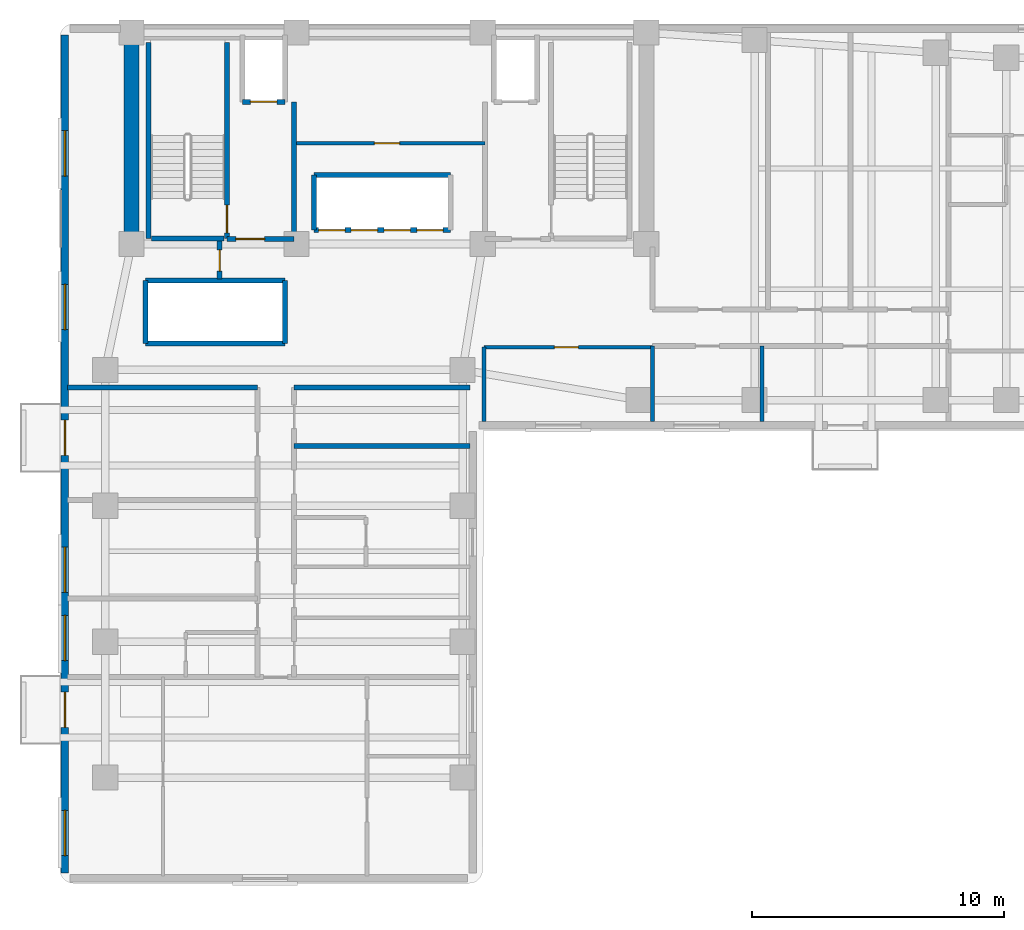
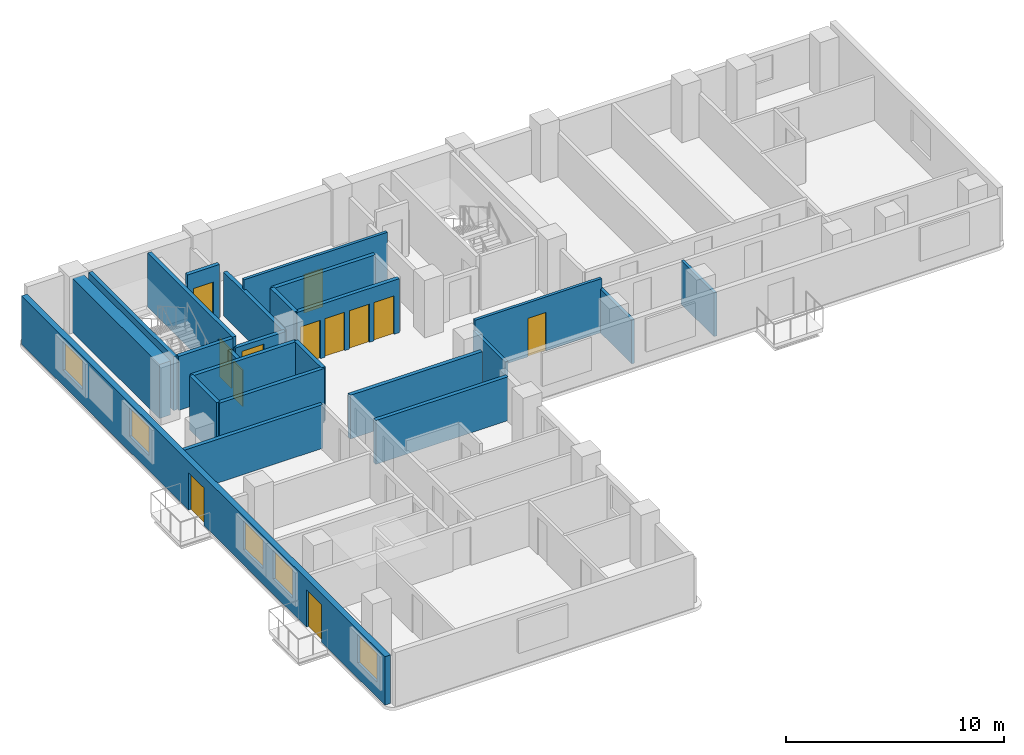
# One storey, part 3 of 7: 24 walls, 12 doors, 5 windows, 17 openings.
"""IFC4 building model written with IfcOpenShell, lengths in metres."""

from ifc_helpers import new_model, si_unit, direction, frame, frame_2d, origin, place, context, subcontext, project, spatial, rectangle, extrude, material, layer, layer_set, type_object, element, fill, save


model = new_model("IFC4")

# Units and contexts
model_context = context("Model", 3, precision=1e-05, world=origin(), true_north=direction((0.0, 1.0)))
body_context = subcontext(model_context, "Body", "Model", "MODEL_VIEW")
ifc_project = project(units=[si_unit("LENGTHUNIT", "METRE"), si_unit("AREAUNIT", "SQUARE_METRE"), si_unit("VOLUMEUNIT", "CUBIC_METRE"), si_unit("PLANEANGLEUNIT", "RADIAN"), si_unit("MASSUNIT", "GRAM", prefix="KILO")], contexts=[model_context])

# Site, building, storey
site_placement = place(None, origin())
site = spatial("IfcSite", under=ifc_project, at=site_placement, CompositionType="ELEMENT")
building_placement = place(site_placement, origin())
building = spatial("IfcBuilding", under=site, at=building_placement, Name="Kuzgunbayir Cultural Tower", CompositionType="ELEMENT")
storey_placement = place(building_placement, frame((0.0, 0.0, 145.800048828125)))
storey = spatial("IfcBuildingStorey", under=building, at=storey_placement, Name="L42", CompositionType="ELEMENT", Elevation=145.800048828125)

# Wall
ifc_material_1 = material(Name="Concrete C60/75", Category="concrete")
ifc_layer_1 = layer(ifc_material_1, 0.60009765625)
ifc_layer_set_1 = layer_set([ifc_layer_1], Name="Concrete C60/75")
wall_type_1 = type_object("IfcWallType", Name="WAL-CORE-600", PredefinedType="SHEAR", material=ifc_layer_set_1)
wall_1_placement = place(storey_placement, frame((6.449951171875, 33.800048828125, 0.0), z_axis=(0.0, 0.0, 1.0), x_axis=(0.0, 1.0, 0.0)))
element("IfcWall", 1, at=wall_1_placement, inside=storey, type_object=wall_type_1, Name="L42 T1 Core West Shear Wall", PredefinedType="SHEAR", context=body_context, shape_type="SweptSolid", body=[
    extrude(rectangle(XDim=7.949951171875, YDim=0.60009765625, at=frame_2d((3.97509765625, 0.0))), origin(), (0.0, 0.0, 1.0), 3.02001953125),
])

# Wall, openings, doors, windows
ifc_material_2 = material(Name="Anatolian Cream Limestone", Category="masonry")
ifc_layer_2 = layer(ifc_material_2, 0.300048828125)
ifc_layer_set_2 = layer_set([ifc_layer_2], Name="Anatolian Cream Limestone")
wall_type_2 = type_object("IfcWallType", Name="WAL-EXT-STONE-300", PredefinedType="STANDARD", material=ifc_layer_set_2)
wall_2_placement = place(storey_placement, frame((3.800048828125, 42.10009765625, 0.0), z_axis=(0.0, 0.0, 1.0), x_axis=(0.0, -1.0, 0.0)))
wall_2 = element("IfcWall", 2, at=wall_2_placement, inside=storey, type_object=wall_type_2, Name="L42 Wing A West Limestone Wall", PredefinedType="STANDARD", context=body_context, shape_type="SweptSolid", body=[
    extrude(rectangle(XDim=33.300048828125, YDim=0.300048828125, at=frame_2d((16.64990234375, 0.0))), origin(), (0.0, 0.0, 1.0), 2.7099609375),
])
opening_1_placement = place(wall_2_placement, frame((26.10009765625, 0.0, 0.0)))
opening_1 = element("IfcOpeningElement", 3, at=opening_1_placement, cuts=wall_2, Name="Opening BD-15", PredefinedType="OPENING", context=body_context, shape_type="SweptSolid", body=[
    extrude(rectangle(XDim=1.39990234375, YDim=2.10009765625, at=frame_2d((0.699951171875, 1.050048828125))), frame((0.0, 0.16015625, 0.0), z_axis=(0.0, -1.0, 0.0), x_axis=(1.0, 0.0, 0.0)), (0.0, 0.0, 1.0), 0.320068359375),
])
opening_2_placement = place(wall_2_placement, frame((15.300048828125, 0.0, 0.0)))
opening_2 = element("IfcOpeningElement", 4, at=opening_2_placement, cuts=wall_2, Name="Opening BD-15", PredefinedType="OPENING", context=body_context, shape_type="SweptSolid", body=[
    extrude(rectangle(XDim=1.39990234375, YDim=2.10009765625, at=frame_2d((0.699951171875, 1.050048828125))), frame((0.0, 0.16015625, 0.0), z_axis=(0.0, -1.0, 0.0), x_axis=(1.0, 0.0, 0.0)), (0.0, 0.0, 1.0), 0.320068359375),
])
opening_3_placement = place(wall_2_placement, frame((23.050048828125, 0.0, 0.85009765625)))
opening_3 = element("IfcOpeningElement", 5, at=opening_3_placement, cuts=wall_2, Name="Opening WH-18", PredefinedType="OPENING", context=body_context, shape_type="SweptSolid", body=[
    extrude(rectangle(XDim=1.800048828125, YDim=1.610107421875, at=frame_2d((0.89990234375, 0.80517578125))), frame((0.0, 0.16015625, 0.0), z_axis=(0.0, -1.0, 0.0), x_axis=(1.0, 0.0, 0.0)), (0.0, 0.0, 1.0), 0.320068359375),
])
opening_4_placement = place(wall_2_placement, frame((30.800048828125, 0.0, 0.85009765625)))
opening_4 = element("IfcOpeningElement", 6, at=opening_4_placement, cuts=wall_2, Name="Opening WH-18", PredefinedType="OPENING", context=body_context, shape_type="SweptSolid", body=[
    extrude(rectangle(XDim=1.800048828125, YDim=1.610107421875, at=frame_2d((0.89990234375, 0.80517578125))), frame((0.0, 0.16015625, 0.0), z_axis=(0.0, -1.0, 0.0), x_axis=(1.0, 0.0, 0.0)), (0.0, 0.0, 1.0), 0.320068359375),
])
opening_5_placement = place(wall_2_placement, frame((20.340087890625, 0.0, 0.85009765625)))
opening_5 = element("IfcOpeningElement", 7, at=opening_5_placement, cuts=wall_2, Name="Opening WH-18", PredefinedType="OPENING", context=body_context, shape_type="SweptSolid", body=[
    extrude(rectangle(XDim=1.800048828125, YDim=1.610107421875, at=frame_2d((0.89990234375, 0.80517578125))), frame((0.0, 0.16015625, 0.0), z_axis=(0.0, -1.0, 0.0), x_axis=(1.0, 0.0, 0.0)), (0.0, 0.0, 1.0), 0.320068359375),
])
opening_6_placement = place(wall_2_placement, frame((9.89990234375, 0.0, 0.85009765625)))
opening_6 = element("IfcOpeningElement", 8, at=opening_6_placement, cuts=wall_2, Name="Opening WH-18", PredefinedType="OPENING", context=body_context, shape_type="SweptSolid", body=[
    extrude(rectangle(XDim=1.800048828125, YDim=1.610107421875, at=frame_2d((0.89990234375, 0.80517578125))), frame((0.0, 0.16015625, 0.0), z_axis=(0.0, -1.0, 0.0), x_axis=(1.0, 0.0, 0.0)), (0.0, 0.0, 1.0), 0.320068359375),
])
opening_7_placement = place(wall_2_placement, frame((3.800048828125, 0.0, 0.85009765625)))
opening_7 = element("IfcOpeningElement", 9, at=opening_7_placement, cuts=wall_2, Name="Opening WH-18", PredefinedType="OPENING", context=body_context, shape_type="SweptSolid", body=[
    extrude(rectangle(XDim=1.800048828125, YDim=1.610107421875, at=frame_2d((0.89990234375, 0.80517578125))), frame((0.0, 0.16015625, 0.0), z_axis=(0.0, -1.0, 0.0), x_axis=(1.0, 0.0, 0.0)), (0.0, 0.0, 1.0), 0.320068359375),
])
ifc_material_3 = material(Name="Thermally Broken Glazed Aluminium", Category="aluminium")
door_type_1 = type_object("IfcDoorType", Name="DR-BALCONY-150", OperationType="SLIDING_TO_RIGHT", PredefinedType="DOOR", material=ifc_material_3)
door_1_placement = place(opening_1_placement, origin())
door_1 = element("IfcDoor", 10, at=door_1_placement, inside=storey, type_object=door_type_1, Name="L42 West Balcony Sliding Door BAL-L42-WA1", OperationType="SLIDING_TO_RIGHT", OverallHeight=2.10009765625, OverallWidth=1.39990234375, PredefinedType="DOOR", context=body_context, shape_type="SweptSolid", body=[
    extrude(rectangle(XDim=1.39990234375, YDim=2.10009765625, at=frame_2d((0.699951171875, 1.050048828125))), frame((0.0, 0.02490234375, 0.0), z_axis=(0.0, -1.0, 0.0), x_axis=(1.0, 0.0, 0.0)), (0.0, 0.0, 1.0), 0.050048828125),
])
fill(opening_1, door_1)
door_2_placement = place(opening_2_placement, origin())
door_2 = element("IfcDoor", 11, at=door_2_placement, inside=storey, type_object=door_type_1, Name="L42 West Balcony Sliding Door BAL-L42-WA3", OperationType="SLIDING_TO_RIGHT", OverallHeight=2.10009765625, OverallWidth=1.39990234375, PredefinedType="DOOR", context=body_context, shape_type="SweptSolid", body=[
    extrude(rectangle(XDim=1.39990234375, YDim=2.10009765625, at=frame_2d((0.699951171875, 1.050048828125))), frame((0.0, 0.02490234375, 0.0), z_axis=(0.0, -1.0, 0.0), x_axis=(1.0, 0.0, 0.0)), (0.0, 0.0, 1.0), 0.050048828125),
])
fill(opening_2, door_2)
ifc_material_4 = material(Name="Solar-Control Triple Glazing", Category="glass")
window_type = type_object("IfcWindowType", Name="WIN-HOTEL-18", PartitioningType="SINGLE_PANEL", PredefinedType="WINDOW", material=ifc_material_4)
window_1_placement = place(opening_3_placement, origin())
window_1 = element("IfcWindow", 12, at=window_1_placement, inside=storey, type_object=window_type, Name="L42 WAW Facade Window 1", OverallHeight=1.610107421875, OverallWidth=1.800048828125, PartitioningType="SINGLE_PANEL", PredefinedType="WINDOW", context=body_context, shape_type="SweptSolid", body=[
    extrude(rectangle(XDim=1.800048828125, YDim=1.610107421875, at=frame_2d((0.89990234375, 0.80517578125))), frame((0.0, 0.030029296875, 0.0), z_axis=(0.0, -1.0, 0.0), x_axis=(1.0, 0.0, 0.0)), (0.0, 0.0, 1.0), 0.06005859375),
])
fill(opening_3, window_1)
window_2_placement = place(opening_4_placement, origin())
window_2 = element("IfcWindow", 13, at=window_2_placement, inside=storey, type_object=window_type, Name="L42 WAW Facade Window 6", OverallHeight=1.610107421875, OverallWidth=1.800048828125, PartitioningType="SINGLE_PANEL", PredefinedType="WINDOW", context=body_context, shape_type="SweptSolid", body=[
    extrude(rectangle(XDim=1.800048828125, YDim=1.610107421875, at=frame_2d((0.89990234375, 0.80517578125))), frame((0.0, 0.030029296875, 0.0), z_axis=(0.0, -1.0, 0.0), x_axis=(1.0, 0.0, 0.0)), (0.0, 0.0, 1.0), 0.06005859375),
])
fill(opening_4, window_2)
window_3_placement = place(opening_5_placement, origin())
window_3 = element("IfcWindow", 14, at=window_3_placement, inside=storey, type_object=window_type, Name="L42 WAW Facade Window 7", OverallHeight=1.610107421875, OverallWidth=1.800048828125, PartitioningType="SINGLE_PANEL", PredefinedType="WINDOW", context=body_context, shape_type="SweptSolid", body=[
    extrude(rectangle(XDim=1.800048828125, YDim=1.610107421875, at=frame_2d((0.89990234375, 0.80517578125))), frame((0.0, 0.030029296875, 0.0), z_axis=(0.0, -1.0, 0.0), x_axis=(1.0, 0.0, 0.0)), (0.0, 0.0, 1.0), 0.06005859375),
])
fill(opening_5, window_3)
window_4_placement = place(opening_6_placement, origin())
window_4 = element("IfcWindow", 15, at=window_4_placement, inside=storey, type_object=window_type, Name="L42 WAW Facade Window 8", OverallHeight=1.610107421875, OverallWidth=1.800048828125, PartitioningType="SINGLE_PANEL", PredefinedType="WINDOW", context=body_context, shape_type="SweptSolid", body=[
    extrude(rectangle(XDim=1.800048828125, YDim=1.610107421875, at=frame_2d((0.89990234375, 0.80517578125))), frame((0.0, 0.030029296875, 0.0), z_axis=(0.0, -1.0, 0.0), x_axis=(1.0, 0.0, 0.0)), (0.0, 0.0, 1.0), 0.06005859375),
])
fill(opening_6, window_4)
window_5_placement = place(opening_7_placement, origin())
window_5 = element("IfcWindow", 16, at=window_5_placement, inside=storey, type_object=window_type, Name="L42 WAW Facade Window 9", OverallHeight=1.610107421875, OverallWidth=1.800048828125, PartitioningType="SINGLE_PANEL", PredefinedType="WINDOW", context=body_context, shape_type="SweptSolid", body=[
    extrude(rectangle(XDim=1.800048828125, YDim=1.610107421875, at=frame_2d((0.89990234375, 0.80517578125))), frame((0.0, 0.030029296875, 0.0), z_axis=(0.0, -1.0, 0.0), x_axis=(1.0, 0.0, 0.0)), (0.0, 0.0, 1.0), 0.06005859375),
])
fill(opening_7, window_5)

# Wall, opening, door
ifc_material_5 = material(Name="Acoustic Double-Stud Drywall", Category="gypsum")
ifc_layer_3 = layer(ifc_material_5, 0.14990234375)
ifc_layer_set_3 = layer_set([ifc_layer_3], Name="Acoustic Double-Stud Drywall")
wall_type_3 = type_object("IfcWallType", Name="WAL-PART-ACOUSTIC-150", PredefinedType="PARTITIONING", material=ifc_layer_set_3)
wall_3_placement = place(storey_placement, frame((12.89990234375, 37.800048828125, 0.0), z_axis=(0.0, 0.0, 1.0), x_axis=(1.0, 0.0, 0.0)))
wall_3 = element("IfcWall", 17, at=wall_3_placement, inside=storey, type_object=wall_type_3, Name="L42 Repurposed Core Suite Wall", PredefinedType="PARTITIONING", context=body_context, shape_type="SweptSolid", body=[
    extrude(rectangle(XDim=7.60009765625, YDim=0.14990234375, at=frame_2d((3.800048828125, 0.0))), origin(), (0.0, 0.0, 1.0), 3.02001953125),
])
opening_8_placement = place(wall_3_placement, frame((3.199951171875, 0.0, 0.0)))
opening_8 = element("IfcOpeningElement", 18, at=opening_8_placement, cuts=wall_3, Name="Opening DC-100", PredefinedType="OPENING", context=body_context, shape_type="SweptSolid", body=[
    extrude(rectangle(XDim=1.0, YDim=2.14990234375, at=frame_2d((0.5, 1.074951171875))), frame((0.0, 0.0849609375, 0.0), z_axis=(0.0, -1.0, 0.0), x_axis=(1.0, 0.0, 0.0)), (0.0, 0.0, 1.0), 0.169921875),
])
ifc_material_6 = material(Name="Fire-Rated Veneered Oak Leaf", Category="wood")
door_type_2 = type_object("IfcDoorType", Name="DR-CORE-100", OperationType="NOTDEFINED", PredefinedType="DOOR", material=ifc_material_6)
door_3_placement = place(opening_8_placement, origin())
door_3 = element("IfcDoor", 19, at=door_3_placement, inside=storey, type_object=door_type_2, Name="L42 Core Reading Salon Door", OperationType="SINGLE_SWING_RIGHT", OverallHeight=2.14990234375, OverallWidth=1.0, PredefinedType="DOOR", context=body_context, shape_type="SweptSolid", body=[
    extrude(rectangle(XDim=1.0, YDim=2.14990234375, at=frame_2d((0.5, 1.074951171875))), frame((0.0, 0.02490234375, 0.0), z_axis=(0.0, -1.0, 0.0), x_axis=(1.0, 0.0, 0.0)), (0.0, 0.0, 1.0), 0.050048828125),
])
fill(opening_8, door_3)

wall_4_placement = place(storey_placement, frame((20.449951171875, 29.699951171875, 0.0), z_axis=(0.0, 0.0, 1.0), x_axis=(1.0, 0.0, 0.0)))
wall_4 = element("IfcWall", 20, at=wall_4_placement, inside=storey, type_object=wall_type_3, Name="L42 Waist Alcove North Wall", PredefinedType="PARTITIONING", context=body_context, shape_type="SweptSolid", body=[
    extrude(rectangle(XDim=6.699951171875, YDim=0.14990234375, at=frame_2d((3.35009765625, 0.0))), origin(), (0.0, 0.0, 1.0), 3.02001953125),
])
opening_9_placement = place(wall_4_placement, frame((2.800048828125, 0.0, 0.0)))
opening_9 = element("IfcOpeningElement", 21, at=opening_9_placement, cuts=wall_4, Name="Opening DI-90", PredefinedType="OPENING", context=body_context, shape_type="SweptSolid", body=[
    extrude(rectangle(XDim=0.949951171875, YDim=2.14990234375, at=frame_2d((0.47509765625, 1.074951171875))), frame((0.0, 0.0849609375, 0.0), z_axis=(0.0, -1.0, 0.0), x_axis=(1.0, 0.0, 0.0)), (0.0, 0.0, 1.0), 0.169921875),
])
ifc_material_7 = material(Name="Veneered Oak Single Leaf", Category="wood")
door_type_3 = type_object("IfcDoorType", Name="DR-INT-90", OperationType="NOTDEFINED", PredefinedType="DOOR", material=ifc_material_7)
door_4_placement = place(opening_9_placement, origin())
door_4 = element("IfcDoor", 22, at=door_4_placement, inside=storey, type_object=door_type_3, Name="L42 Waist Alcove Door", OperationType="SINGLE_SWING_LEFT", OverallHeight=2.14990234375, OverallWidth=0.949951171875, PredefinedType="DOOR", context=body_context, shape_type="SweptSolid", body=[
    extrude(rectangle(XDim=0.949951171875, YDim=2.14990234375, at=frame_2d((0.47509765625, 1.074951171875))), frame((0.0, 0.02490234375, 0.0), z_axis=(0.0, -1.0, 0.0), x_axis=(1.0, 0.0, 0.0)), (0.0, 0.0, 1.0), 0.050048828125),
])
fill(opening_9, door_4)

# Walls
wall_5_placement = place(storey_placement, frame((20.449951171875, 26.75, 0.0), z_axis=(0.0, 0.0, 1.0), x_axis=(0.0, 1.0, 0.0)))
element("IfcWall", 23, at=wall_5_placement, inside=storey, type_object=wall_type_3, Name="L42 Waist Alcove West Wall", PredefinedType="PARTITIONING", context=body_context, shape_type="SweptSolid", body=[
    extrude(rectangle(XDim=2.949951171875, YDim=0.14990234375, at=frame_2d((1.47509765625, 0.0))), origin(), (0.0, 0.0, 1.0), 2.449951171875),
])
for number, where, z_axis, x_axis, name in (
    (24, (27.14990234375, 26.75, 0.0), (0.0, 0.0, 1.0), (0.0, 1.0, 0.0), "L42 Waist Alcove East Wall"),
    (25, (31.5, 26.75, 0.0), (0.0, 0.0, 1.0), (0.0, 1.0, 0.0), "L42 Wing B South Divider 1"),
):
    element("IfcWall", number, at=place(storey_placement, frame(where, z_axis=z_axis, x_axis=x_axis)), inside=storey, type_object=wall_type_3, Name=name, PredefinedType="PARTITIONING", context=body_context, shape_type="SweptSolid", body=[
        extrude(rectangle(XDim=3.0, YDim=0.14990234375, at=frame_2d((1.5, 0.0))), origin(), (0.0, 0.0, 1.0), 2.449951171875),
    ])
ifc_material_8 = material(Name="Aerated Concrete Blockwork", Category="masonry")
ifc_layer_4 = layer(ifc_material_8, 0.199951171875)
ifc_layer_set_4 = layer_set([ifc_layer_4], Name="Aerated Concrete Blockwork")
wall_type_4 = type_object("IfcWallType", Name="WAL-PART-FIRE-200", PredefinedType="PARTITIONING", material=ifc_layer_set_4)
wall_6_placement = place(storey_placement, frame((12.89990234375, 34.0, 0.0), z_axis=(0.0, 0.0, 1.0), x_axis=(0.0, 1.0, 0.0)))
element("IfcWall", 26, at=wall_6_placement, inside=storey, type_object=wall_type_4, Name="L42 FFL-1 Lobby East Fire Wall", PredefinedType="PARTITIONING", context=body_context, shape_type="SweptSolid", body=[
    extrude(rectangle(XDim=5.449951171875, YDim=0.199951171875, at=frame_2d((2.72509765625, 0.0))), origin(), (0.0, 0.0, 1.0), 2.449951171875),
])

# Wall, opening, door
wall_7_placement = place(storey_placement, frame((10.239990234375, 34.0, 0.0), z_axis=(0.0, 0.0, 1.0), x_axis=(1.0, 0.0, 0.0)))
wall_7 = element("IfcWall", 27, at=wall_7_placement, inside=storey, type_object=wall_type_4, Name="L42 FFL-1 Lobby South Fire Wall", PredefinedType="PARTITIONING", context=body_context, shape_type="SweptSolid", body=[
    extrude(rectangle(XDim=2.659912109375, YDim=0.199951171875, at=frame_2d((1.330078125, 0.0))), origin(), (0.0, 0.0, 1.0), 2.449951171875),
])
opening_10_placement = place(wall_7_placement, frame((0.35009765625, 0.0, 0.0)))
opening_10 = element("IfcOpeningElement", 28, at=opening_10_placement, cuts=wall_7, Name="Opening DR-FFL-90", PredefinedType="OPENING", context=body_context, shape_type="SweptSolid", body=[
    extrude(rectangle(XDim=1.14990234375, YDim=2.14990234375, at=frame_2d((0.574951171875, 1.074951171875))), frame((0.0, 0.10986328125, 0.0), z_axis=(0.0, -1.0, 0.0), x_axis=(1.0, 0.0, 0.0)), (0.0, 0.0, 1.0), 0.219970703125),
])
ifc_material_9 = material(Name="Steel S355J2", Category="steel")
door_type_4 = type_object("IfcDoorType", Name="DR-FFL-90", OperationType="NOTDEFINED", PredefinedType="DOOR", material=ifc_material_9)
door_5_placement = place(opening_10_placement, origin())
door_5 = element("IfcDoor", 29, at=door_5_placement, inside=storey, type_object=door_type_4, Name="L42 Firefighting Lobby 1 Door", OperationType="SINGLE_SWING_LEFT", OverallHeight=2.14990234375, OverallWidth=1.14990234375, PredefinedType="DOOR", context=body_context, shape_type="SweptSolid", body=[
    extrude(rectangle(XDim=1.14990234375, YDim=2.14990234375, at=frame_2d((0.574951171875, 1.074951171875))), frame((0.0, 0.02490234375, 0.0), z_axis=(0.0, -1.0, 0.0), x_axis=(1.0, 0.0, 0.0)), (0.0, 0.0, 1.0), 0.050048828125),
])
fill(opening_10, door_5)

wall_8_placement = place(storey_placement, frame((9.949951171875, 32.39990234375, 0.0), z_axis=(0.0, 0.0, 1.0), x_axis=(0.0, 1.0, 0.0)))
wall_8 = element("IfcWall", 30, at=wall_8_placement, inside=storey, type_object=wall_type_4, Name="L42 West Core Service Closet Wall", PredefinedType="PARTITIONING", context=body_context, shape_type="SweptSolid", body=[
    extrude(rectangle(XDim=1.52001953125, YDim=0.199951171875, at=frame_2d((0.760009765625, 0.0))), origin(), (0.0, 0.0, 1.0), 2.449951171875),
])
opening_11_placement = place(wall_8_placement, frame((0.320068359375, 0.0, 0.0)))
opening_11 = element("IfcOpeningElement", 31, at=opening_11_placement, cuts=wall_8, Name="Opening DR-RSR-60", PredefinedType="OPENING", context=body_context, shape_type="SweptSolid", body=[
    extrude(rectangle(XDim=0.85009765625, YDim=2.050048828125, at=frame_2d((0.425048828125, 1.02490234375))), frame((0.0, 0.10986328125, 0.0), z_axis=(0.0, -1.0, 0.0), x_axis=(1.0, 0.0, 0.0)), (0.0, 0.0, 1.0), 0.219970703125),
])
ifc_material_10 = material(Name="Steel Access Leaf", Category="steel")
door_type_5 = type_object("IfcDoorType", Name="DR-RISER-60", OperationType="NOTDEFINED", PredefinedType="DOOR", material=ifc_material_10)
door_6_placement = place(opening_11_placement, origin())
door_6 = element("IfcDoor", 32, at=door_6_placement, inside=storey, type_object=door_type_5, Name="L42 Cleaner Utility Store Door", OperationType="SINGLE_SWING_LEFT", OverallHeight=2.050048828125, OverallWidth=0.85009765625, PredefinedType="DOOR", context=body_context, shape_type="SweptSolid", body=[
    extrude(rectangle(XDim=0.85009765625, YDim=2.050048828125, at=frame_2d((0.425048828125, 1.02490234375))), frame((0.0, 0.02490234375, 0.0), z_axis=(0.0, -1.0, 0.0), x_axis=(1.0, 0.0, 0.0)), (0.0, 0.0, 1.0), 0.050048828125),
])
fill(opening_11, door_6)

# Walls
wall_9_placement = place(storey_placement, frame((3.89990234375, 28.10009765625, 0.0), z_axis=(0.0, 0.0, 1.0), x_axis=(1.0, 0.0, 0.0)))
element("IfcWall", 33, at=wall_9_placement, inside=storey, type_object=wall_type_4, Name="L42 North West Partition", PredefinedType="PARTITIONING", context=body_context, shape_type="SweptSolid", body=[
    extrude(rectangle(XDim=7.550048828125, YDim=0.199951171875, at=frame_2d((3.77490234375, 0.0))), origin(), (0.0, 0.0, 1.0), 2.449951171875),
])
for number, where, z_axis, x_axis, name in (
    (34, (12.909912109375, 28.10009765625, 0.0), (0.0, 0.0, 1.0), (1.0, 0.0, 0.0), "L42 North East Partition"),
    (35, (12.909912109375, 25.77001953125, 0.0), (0.0, 0.0, 1.0), (1.0, 0.0, 0.0), "L42 Suite E1 Sub-Party Wall"),
):
    element("IfcWall", number, at=place(storey_placement, frame(where, z_axis=z_axis, x_axis=x_axis)), inside=storey, type_object=wall_type_4, Name=name, PredefinedType="PARTITIONING", context=body_context, shape_type="SweptSolid", body=[
        extrude(rectangle(XDim=6.989990234375, YDim=0.199951171875, at=frame_2d((3.4951171875, 0.0))), origin(), (0.0, 0.0, 1.0), 2.449951171875),
    ])
ifc_material_11 = material(Name="Concrete C40/50", Category="concrete")
ifc_layer_5 = layer(ifc_material_11, 0.199951171875)
ifc_layer_set_5 = layer_set([ifc_layer_5], Name="Concrete C40/50")
wall_type_5 = type_object("IfcWallType", Name="WAL-SHAFT-200", PredefinedType="MOVABLE", material=ifc_layer_set_5)
for number, where, z_axis, x_axis, name in (
    (36, (7.0, 29.85009765625, 0.0), (0.0, 0.0, 1.0), (1.0, 0.0, 0.0), "L42 High-Rise Lift Shaft South Wall"),
    (37, (7.0, 32.35009765625, 0.0), (0.0, 0.0, 1.0), (1.0, 0.0, 0.0), "L42 High-Rise Lift Shaft North Wall"),
):
    element("IfcWall", number, at=place(storey_placement, frame(where, z_axis=z_axis, x_axis=x_axis)), inside=storey, type_object=wall_type_5, Name=name, PredefinedType="MOVABLE", context=body_context, shape_type="SweptSolid", body=[
        extrude(rectangle(XDim=5.550048828125, YDim=0.199951171875, at=frame_2d((2.77490234375, 0.0))), origin(), (0.0, 0.0, 1.0), 3.02001953125),
    ])
for number, where, z_axis, x_axis, name in (
    (38, (7.0, 29.85009765625, 0.0), (0.0, 0.0, 1.0), (0.0, 1.0, 0.0), "L42 High-Rise Lift Shaft West Wall"),
    (39, (12.550048828125, 29.85009765625, 0.0), (0.0, 0.0, 1.0), (0.0, 1.0, 0.0), "L42 High-Rise Lift Shaft East Wall"),
):
    element("IfcWall", number, at=place(storey_placement, frame(where, z_axis=z_axis, x_axis=x_axis)), inside=storey, type_object=wall_type_5, Name=name, PredefinedType="MOVABLE", context=body_context, shape_type="SweptSolid", body=[
        extrude(rectangle(XDim=2.5, YDim=0.199951171875, at=frame_2d((1.25, 0.0))), origin(), (0.0, 0.0, 1.0), 3.02001953125),
    ])

# Wall, opening, door
wall_10_placement = place(storey_placement, frame((10.85009765625, 39.449951171875, 0.0), z_axis=(0.0, 0.0, 1.0), x_axis=(1.0, 0.0, 0.0)))
wall_10 = element("IfcWall", 40, at=wall_10_placement, inside=storey, type_object=wall_type_5, Name="L42 FFL-1 Lift Front Wall", PredefinedType="MOVABLE", context=body_context, shape_type="SweptSolid", body=[
    extrude(rectangle(XDim=1.699951171875, YDim=0.199951171875, at=frame_2d((0.85009765625, 0.0))), origin(), (0.0, 0.0, 1.0), 3.02001953125),
])
opening_12_placement = place(wall_10_placement, frame((0.320068359375, 0.0, 0.0)))
opening_12 = element("IfcOpeningElement", 41, at=opening_12_placement, cuts=wall_10, Name="Opening LD", PredefinedType="OPENING", context=body_context, shape_type="SweptSolid", body=[
    extrude(rectangle(XDim=1.050048828125, YDim=2.14990234375, at=frame_2d((0.52490234375, 1.074951171875))), frame((0.0, 0.10986328125, 0.0), z_axis=(0.0, -1.0, 0.0), x_axis=(1.0, 0.0, 0.0)), (0.0, 0.0, 1.0), 0.219970703125),
])
ifc_material_12 = material(Name="Brushed Stainless Steel", Category="steel")
door_type_6 = type_object("IfcDoorType", Name="DR-LIFT-LANDING", OperationType="SLIDING_TO_LEFT", PredefinedType="DOOR", material=ifc_material_12)
door_7_placement = place(opening_12_placement, origin())
door_7 = element("IfcDoor", 42, at=door_7_placement, inside=storey, type_object=door_type_6, Name="L42 Lift FFL-1 Landing Door", OperationType="SLIDING_TO_LEFT", OverallHeight=2.14990234375, OverallWidth=1.050048828125, PredefinedType="DOOR", context=body_context, shape_type="SweptSolid", body=[
    extrude(rectangle(XDim=1.050048828125, YDim=2.14990234375, at=frame_2d((0.52490234375, 1.074951171875))), frame((0.0, 0.02490234375, 0.0), z_axis=(0.0, -1.0, 0.0), x_axis=(1.0, 0.0, 0.0)), (0.0, 0.0, 1.0), 0.050048828125),
])
fill(opening_12, door_7)

# Wall, openings, doors
wall_11_placement = place(storey_placement, frame((13.699951171875, 34.35009765625, 0.0), z_axis=(0.0, 0.0, 1.0), x_axis=(1.0, 0.0, 0.0)))
wall_11 = element("IfcWall", 43, at=wall_11_placement, inside=storey, type_object=wall_type_5, Name="L42 Mid-Rise Lift Front Wall", PredefinedType="MOVABLE", context=body_context, shape_type="SweptSolid", body=[
    extrude(rectangle(XDim=5.420166015625, YDim=0.199951171875, at=frame_2d((2.7099609375, 0.0))), origin(), (0.0, 0.0, 1.0), 3.02001953125),
])
opening_13_placement = place(wall_11_placement, frame((0.179931640625, 0.0, 0.0)))
opening_13 = element("IfcOpeningElement", 44, at=opening_13_placement, cuts=wall_11, Name="Opening LD", PredefinedType="OPENING", context=body_context, shape_type="SweptSolid", body=[
    extrude(rectangle(XDim=1.050048828125, YDim=2.14990234375, at=frame_2d((0.52490234375, 1.074951171875))), frame((0.0, 0.10986328125, 0.0), z_axis=(0.0, -1.0, 0.0), x_axis=(1.0, 0.0, 0.0)), (0.0, 0.0, 1.0), 0.219970703125),
])
opening_14_placement = place(wall_11_placement, frame((1.469970703125, 0.0, 0.0)))
opening_14 = element("IfcOpeningElement", 45, at=opening_14_placement, cuts=wall_11, Name="Opening LD", PredefinedType="OPENING", context=body_context, shape_type="SweptSolid", body=[
    extrude(rectangle(XDim=1.050048828125, YDim=2.14990234375, at=frame_2d((0.52490234375, 1.074951171875))), frame((0.0, 0.10986328125, 0.0), z_axis=(0.0, -1.0, 0.0), x_axis=(1.0, 0.0, 0.0)), (0.0, 0.0, 1.0), 0.219970703125),
])
opening_15_placement = place(wall_11_placement, frame((2.780029296875, 0.0, 0.0)))
opening_15 = element("IfcOpeningElement", 46, at=opening_15_placement, cuts=wall_11, Name="Opening LD", PredefinedType="OPENING", context=body_context, shape_type="SweptSolid", body=[
    extrude(rectangle(XDim=1.050048828125, YDim=2.14990234375, at=frame_2d((0.52490234375, 1.074951171875))), frame((0.0, 0.10986328125, 0.0), z_axis=(0.0, -1.0, 0.0), x_axis=(1.0, 0.0, 0.0)), (0.0, 0.0, 1.0), 0.219970703125),
])
opening_16_placement = place(wall_11_placement, frame((4.080078125, 0.0, 0.0)))
opening_16 = element("IfcOpeningElement", 47, at=opening_16_placement, cuts=wall_11, Name="Opening LD", PredefinedType="OPENING", context=body_context, shape_type="SweptSolid", body=[
    extrude(rectangle(XDim=1.050048828125, YDim=2.14990234375, at=frame_2d((0.52490234375, 1.074951171875))), frame((0.0, 0.10986328125, 0.0), z_axis=(0.0, -1.0, 0.0), x_axis=(1.0, 0.0, 0.0)), (0.0, 0.0, 1.0), 0.219970703125),
])
door_8_placement = place(opening_13_placement, origin())
door_8 = element("IfcDoor", 48, at=door_8_placement, inside=storey, type_object=door_type_6, Name="L42 Lift PM-1 Landing Door", OperationType="SLIDING_TO_LEFT", OverallHeight=2.14990234375, OverallWidth=1.050048828125, PredefinedType="DOOR", context=body_context, shape_type="SweptSolid", body=[
    extrude(rectangle(XDim=1.050048828125, YDim=2.14990234375, at=frame_2d((0.52490234375, 1.074951171875))), frame((0.0, 0.02490234375, 0.0), z_axis=(0.0, -1.0, 0.0), x_axis=(1.0, 0.0, 0.0)), (0.0, 0.0, 1.0), 0.050048828125),
])
fill(opening_13, door_8)
door_9_placement = place(opening_14_placement, origin())
door_9 = element("IfcDoor", 49, at=door_9_placement, inside=storey, type_object=door_type_6, Name="L42 Lift PM-2 Landing Door", OperationType="SLIDING_TO_LEFT", OverallHeight=2.14990234375, OverallWidth=1.050048828125, PredefinedType="DOOR", context=body_context, shape_type="SweptSolid", body=[
    extrude(rectangle(XDim=1.050048828125, YDim=2.14990234375, at=frame_2d((0.52490234375, 1.074951171875))), frame((0.0, 0.02490234375, 0.0), z_axis=(0.0, -1.0, 0.0), x_axis=(1.0, 0.0, 0.0)), (0.0, 0.0, 1.0), 0.050048828125),
])
fill(opening_14, door_9)
door_10_placement = place(opening_15_placement, origin())
door_10 = element("IfcDoor", 50, at=door_10_placement, inside=storey, type_object=door_type_6, Name="L42 Lift PM-3 Landing Door", OperationType="SLIDING_TO_LEFT", OverallHeight=2.14990234375, OverallWidth=1.050048828125, PredefinedType="DOOR", context=body_context, shape_type="SweptSolid", body=[
    extrude(rectangle(XDim=1.050048828125, YDim=2.14990234375, at=frame_2d((0.52490234375, 1.074951171875))), frame((0.0, 0.02490234375, 0.0), z_axis=(0.0, -1.0, 0.0), x_axis=(1.0, 0.0, 0.0)), (0.0, 0.0, 1.0), 0.050048828125),
])
fill(opening_15, door_10)
door_11_placement = place(opening_16_placement, origin())
door_11 = element("IfcDoor", 51, at=door_11_placement, inside=storey, type_object=door_type_6, Name="L42 Lift PM-4 Landing Door", OperationType="SLIDING_TO_LEFT", OverallHeight=2.14990234375, OverallWidth=1.050048828125, PredefinedType="DOOR", context=body_context, shape_type="SweptSolid", body=[
    extrude(rectangle(XDim=1.050048828125, YDim=2.14990234375, at=frame_2d((0.52490234375, 1.074951171875))), frame((0.0, 0.02490234375, 0.0), z_axis=(0.0, -1.0, 0.0), x_axis=(1.0, 0.0, 0.0)), (0.0, 0.0, 1.0), 0.050048828125),
])
fill(opening_16, door_11)

# Walls
wall_12_placement = place(storey_placement, frame((13.699951171875, 36.550048828125, 0.0), z_axis=(0.0, 0.0, 1.0), x_axis=(1.0, 0.0, 0.0)))
element("IfcWall", 52, at=wall_12_placement, inside=storey, type_object=wall_type_5, Name="L42 Mid-Rise Lift Shaft North Wall", PredefinedType="MOVABLE", context=body_context, shape_type="SweptSolid", body=[
    extrude(rectangle(XDim=5.420166015625, YDim=0.199951171875, at=frame_2d((2.7099609375, 0.0))), origin(), (0.0, 0.0, 1.0), 3.02001953125),
])
wall_13_placement = place(storey_placement, frame((13.699951171875, 34.35009765625, 0.0), z_axis=(0.0, 0.0, 1.0), x_axis=(0.0, 1.0, 0.0)))
element("IfcWall", 53, at=wall_13_placement, inside=storey, type_object=wall_type_5, Name="L42 Mid-Rise Lift Shaft West Wall", PredefinedType="MOVABLE", context=body_context, shape_type="SweptSolid", body=[
    extrude(rectangle(XDim=2.199951171875, YDim=0.199951171875, at=frame_2d((1.10009765625, 0.0))), origin(), (0.0, 0.0, 1.0), 3.02001953125),
])
ifc_layer_6 = layer(ifc_material_11, 0.199951171875)
ifc_layer_set_6 = layer_set([ifc_layer_6], Name="Concrete C40/50")
wall_type_6 = type_object("IfcWallType", Name="WAL-STAIR-RC-200", PredefinedType="SHEAR", material=ifc_layer_set_6)
wall_14_placement = place(storey_placement, frame((7.1201171875, 34.02001953125, 0.0), z_axis=(0.0, 0.0, 1.0), x_axis=(0.0, 1.0, 0.0)))
element("IfcWall", 54, at=wall_14_placement, inside=storey, type_object=wall_type_6, Name="L42 Stair ST-1 West Structural Wall", PredefinedType="SHEAR", context=body_context, shape_type="SweptSolid", body=[
    extrude(rectangle(XDim=7.780029296875, YDim=0.199951171875, at=frame_2d((3.89013671875, 0.0))), origin(), (0.0, 0.0, 1.0), 3.02001953125),
])

# Wall, opening, door
wall_15_placement = place(storey_placement, frame((10.239990234375, 34.02001953125, 0.0), z_axis=(0.0, 0.0, 1.0), x_axis=(0.0, 1.0, 0.0)))
wall_15 = element("IfcWall", 55, at=wall_15_placement, inside=storey, type_object=wall_type_6, Name="L42 Stair ST-1 East Structural Wall", PredefinedType="SHEAR", context=body_context, shape_type="SweptSolid", body=[
    extrude(rectangle(XDim=7.780029296875, YDim=0.199951171875, at=frame_2d((3.89013671875, 0.0))), origin(), (0.0, 0.0, 1.0), 3.02001953125),
])
opening_17_placement = place(wall_15_placement, frame((0.219970703125, 0.0, 0.0)))
opening_17 = element("IfcOpeningElement", 56, at=opening_17_placement, cuts=wall_15, Name="Opening DR-STAIR-90", PredefinedType="OPENING", context=body_context, shape_type="SweptSolid", body=[
    extrude(rectangle(XDim=1.10009765625, YDim=2.14990234375, at=frame_2d((0.550048828125, 1.074951171875))), frame((0.0, 0.10986328125, 0.0), z_axis=(0.0, -1.0, 0.0), x_axis=(1.0, 0.0, 0.0)), (0.0, 0.0, 1.0), 0.219970703125),
])
door_type_7 = type_object("IfcDoorType", Name="DR-STAIR-90", OperationType="NOTDEFINED", PredefinedType="DOOR", material=ifc_material_9)
door_12_placement = place(opening_17_placement, origin())
door_12 = element("IfcDoor", 57, at=door_12_placement, inside=storey, type_object=door_type_7, Name="L42 Stair ST-1 Fire Door", OperationType="SINGLE_SWING_RIGHT", OverallHeight=2.14990234375, OverallWidth=1.10009765625, PredefinedType="DOOR", context=body_context, shape_type="SweptSolid", body=[
    extrude(rectangle(XDim=1.10009765625, YDim=2.14990234375, at=frame_2d((0.550048828125, 1.074951171875))), frame((0.0, 0.02490234375, 0.0), z_axis=(0.0, -1.0, 0.0), x_axis=(1.0, 0.0, 0.0)), (0.0, 0.0, 1.0), 0.050048828125),
])
fill(opening_17, door_12)

# Wall
wall_16_placement = place(storey_placement, frame((7.239990234375, 34.02001953125, 0.0), z_axis=(0.0, 0.0, 1.0), x_axis=(1.0, 0.0, 0.0)))
element("IfcWall", 58, at=wall_16_placement, inside=storey, type_object=wall_type_6, Name="L42 Stair ST-1 South Structural Wall", PredefinedType="SHEAR", context=body_context, shape_type="SweptSolid", body=[
    extrude(rectangle(XDim=2.880126953125, YDim=0.199951171875, at=frame_2d((1.43994140625, 0.0))), origin(), (0.0, 0.0, 1.0), 3.02001953125),
])

save(model, "model.ifc")
